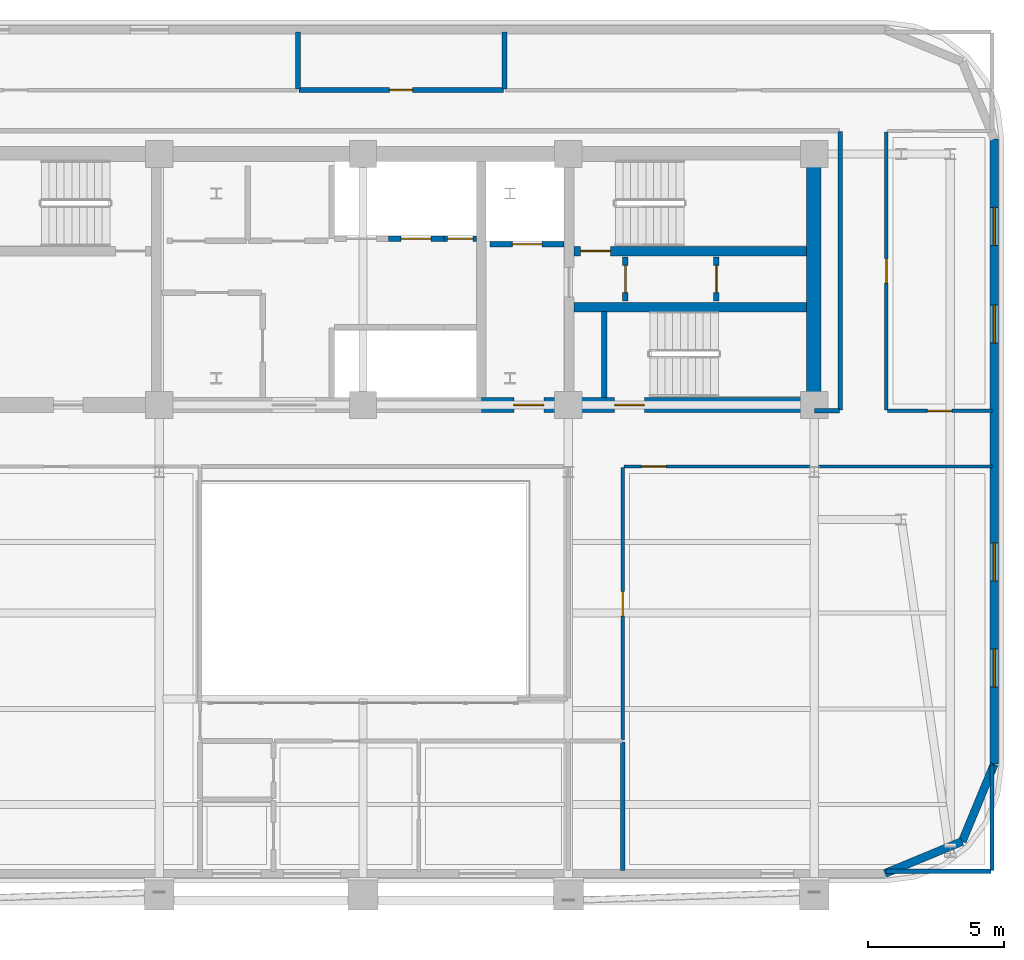
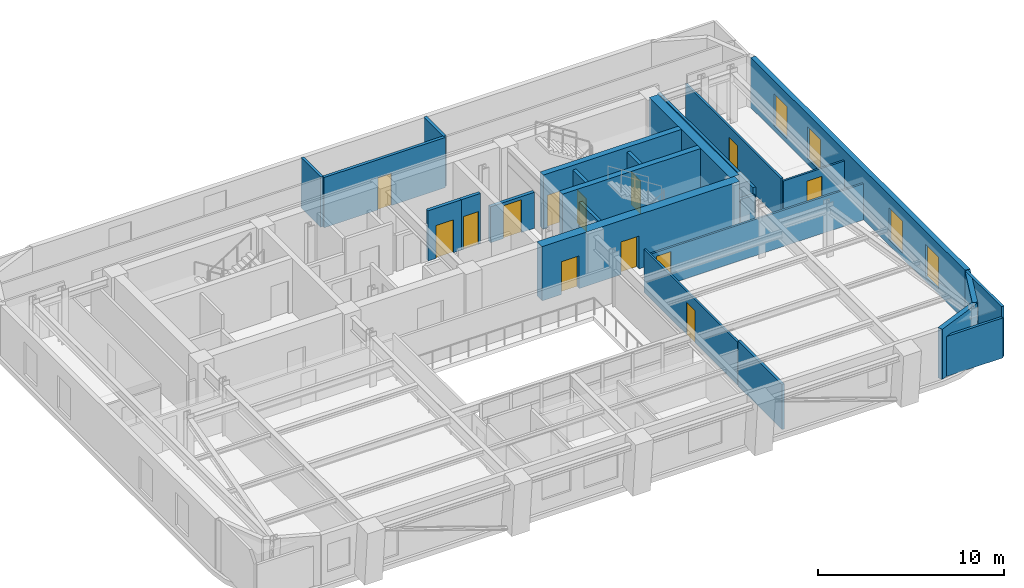
# One storey, part 8 of 13: 25 walls, 13 doors, 4 windows, 17 openings.
"""IFC4 building model written with IfcOpenShell, lengths in metres."""

from ifc_helpers import new_model, si_unit, direction, frame, frame_2d, origin, place, context, subcontext, project, spatial, rectangle, extrude, material, layer, layer_set, type_object, element, fill, save


model = new_model("IFC4")

# Units and contexts
model_context = context("Model", 3, precision=1e-05, world=origin(), true_north=direction((0.0, 1.0)))
body_context = subcontext(model_context, "Body", "Model", "MODEL_VIEW")
ifc_project = project(units=[si_unit("LENGTHUNIT", "METRE"), si_unit("AREAUNIT", "SQUARE_METRE"), si_unit("VOLUMEUNIT", "CUBIC_METRE"), si_unit("PLANEANGLEUNIT", "RADIAN"), si_unit("MASSUNIT", "GRAM", prefix="KILO")], contexts=[model_context])

# Site, building, storey
site_placement = place(None, origin())
site = spatial("IfcSite", under=ifc_project, at=site_placement, CompositionType="ELEMENT")
building_placement = place(site_placement, origin())
building = spatial("IfcBuilding", under=site, at=building_placement, Name="Zarnavel Station Tower", CompositionType="ELEMENT")
storey_placement = place(building_placement, frame((0.0, 0.0, 180.300048828125)))
storey = spatial("IfcBuildingStorey", under=building, at=storey_placement, Name="L49", CompositionType="ELEMENT", Elevation=180.300048828125)

# Wall, opening, door
ifc_material_1 = material(Name="Concrete C50/60", Category="concrete")
ifc_layer_1 = layer(ifc_material_1, 0.35009765625)
ifc_layer_set_1 = layer_set([ifc_layer_1], Name="CW_350")
wall_type_1 = type_object("IfcWallType", Name="CW_350", PredefinedType="SHEAR", material=ifc_layer_set_1)
wall_1_placement = place(storey_placement, frame((45.10498046875, 33.47998046875, 0.0), z_axis=(0.0, 0.0, 1.0), x_axis=(-1.0, 0.0, 0.0)))
wall_1 = element("IfcWall", 1, at=wall_1_placement, inside=storey, type_object=wall_type_1, Name="L49 Rear Core Shear Wall DIV-H2", PredefinedType="SHEAR", context=body_context, shape_type="SweptSolid", body=[
    extrude(rectangle(XDim=8.550048828125, YDim=0.35009765625, at=frame_2d((4.27490234375, 0.0))), origin(), (0.0, 0.0, 1.0), 3.550048828125),
])
opening_1_placement = place(wall_1_placement, frame((7.205078125, 0.0, 0.0)))
opening_1 = element("IfcOpeningElement", 2, at=opening_1_placement, cuts=wall_1, Name="Opening FD01", PredefinedType="OPENING", context=body_context, shape_type="SweptSolid", body=[
    extrude(rectangle(XDim=1.10009765625, YDim=2.14990234375, at=frame_2d((0.550048828125, 1.074951171875))), frame((0.0, 0.18505859375, 0.0), z_axis=(0.0, -1.0, 0.0), x_axis=(1.0, 0.0, 0.0)), (0.0, 0.0, 1.0), 0.3701171875),
])
ifc_material_2 = material(Name="Painted Galvanised Steel and Hardwood Leaf", Category="steel")
door_type_1 = type_object("IfcDoorType", Name="ID_STAIR_1100", OperationType="NOTDEFINED", PredefinedType="DOOR", material=ifc_material_2)
door_1_placement = place(opening_1_placement, origin())
door_1 = element("IfcDoor", 3, at=door_1_placement, inside=storey, type_object=door_type_1, Name="L49 Stair ST2 Lobby Fire Door", OperationType="SINGLE_SWING_RIGHT", OverallHeight=2.14990234375, OverallWidth=1.10009765625, PredefinedType="DOOR", context=body_context, shape_type="SweptSolid", body=[
    extrude(rectangle(XDim=1.10009765625, YDim=2.14990234375, at=frame_2d((0.550048828125, 1.074951171875))), frame((0.0, 0.02490234375, 0.0), z_axis=(0.0, -1.0, 0.0), x_axis=(1.0, 0.0, 0.0)), (0.0, 0.0, 1.0), 0.050048828125),
])
fill(opening_1, door_1)

# Wall
wall_2_placement = place(storey_placement, frame((36.554931640625, 31.419921875, 0.0), z_axis=(0.0, 0.0, 1.0), x_axis=(1.0, 0.0, 0.0)))
element("IfcWall", 4, at=wall_2_placement, inside=storey, type_object=wall_type_1, Name="L49 Rear Core Shear Wall DIV-H3", PredefinedType="SHEAR", context=body_context, shape_type="SweptSolid", body=[
    extrude(rectangle(XDim=8.550048828125, YDim=0.35009765625, at=frame_2d((4.27490234375, 0.0))), origin(), (0.0, 0.0, 1.0), 3.550048828125),
])

# Wall, openings, doors
ifc_material_3 = material(Name="Concrete C50/60", Category="concrete")
ifc_layer_2 = layer(ifc_material_3, 0.550048828125)
ifc_layer_set_2 = layer_set([ifc_layer_2], Name="CW_550")
wall_type_2 = type_object("IfcWallType", Name="CW_550", PredefinedType="SHEAR", material=ifc_layer_set_2)
wall_3_placement = place(storey_placement, frame((45.3798828125, 27.820068359375, 0.0), z_axis=(0.0, 0.0, 1.0), x_axis=(-1.0, 0.0, 0.0)))
wall_3 = element("IfcWall", 5, at=wall_3_placement, inside=storey, type_object=wall_type_2, Name="L49 Rear Core Shear Wall S-E", PredefinedType="SHEAR", context=body_context, shape_type="SweptSolid", body=[
    extrude(rectangle(XDim=12.22998046875, YDim=0.550048828125, at=frame_2d((6.114990234375, 0.0))), origin(), (0.0, 0.0, 1.0), 3.550048828125),
])
opening_2_placement = place(wall_3_placement, frame((9.929931640625, 0.0, 0.0)))
opening_2 = element("IfcOpeningElement", 6, at=opening_2_placement, cuts=wall_3, Name="Opening FD01", PredefinedType="OPENING", context=body_context, shape_type="SweptSolid", body=[
    extrude(rectangle(XDim=1.10009765625, YDim=2.14990234375, at=frame_2d((0.550048828125, 1.074951171875))), frame((0.0, 0.284912109375, 0.0), z_axis=(0.0, -1.0, 0.0), x_axis=(1.0, 0.0, 0.0)), (0.0, 0.0, 1.0), 0.570068359375),
])
opening_3_placement = place(wall_3_placement, frame((6.22998046875, 0.0, 0.0)))
opening_3 = element("IfcOpeningElement", 7, at=opening_3_placement, cuts=wall_3, Name="Opening FD01", PredefinedType="OPENING", context=body_context, shape_type="SweptSolid", body=[
    extrude(rectangle(XDim=1.10009765625, YDim=2.14990234375, at=frame_2d((0.550048828125, 1.074951171875))), frame((0.0, 0.284912109375, 0.0), z_axis=(0.0, -1.0, 0.0), x_axis=(1.0, 0.0, 0.0)), (0.0, 0.0, 1.0), 0.570068359375),
])
door_2_placement = place(opening_2_placement, origin())
door_2 = element("IfcDoor", 8, at=door_2_placement, inside=storey, type_object=door_type_1, Name="L49 East Firefighting Lobby Door", OperationType="SINGLE_SWING_LEFT", OverallHeight=2.14990234375, OverallWidth=1.10009765625, PredefinedType="DOOR", context=body_context, shape_type="SweptSolid", body=[
    extrude(rectangle(XDim=1.10009765625, YDim=2.14990234375, at=frame_2d((0.550048828125, 1.074951171875))), frame((0.0, 0.02490234375, 0.0), z_axis=(0.0, -1.0, 0.0), x_axis=(1.0, 0.0, 0.0)), (0.0, 0.0, 1.0), 0.050048828125),
])
fill(opening_2, door_2)
door_3_placement = place(opening_3_placement, origin())
door_3 = element("IfcDoor", 9, at=door_3_placement, inside=storey, type_object=door_type_1, Name="L49 Stair ST3 Corridor Fire Door", OperationType="SINGLE_SWING_RIGHT", OverallHeight=2.14990234375, OverallWidth=1.10009765625, PredefinedType="DOOR", context=body_context, shape_type="SweptSolid", body=[
    extrude(rectangle(XDim=1.10009765625, YDim=2.14990234375, at=frame_2d((0.550048828125, 1.074951171875))), frame((0.0, 0.02490234375, 0.0), z_axis=(0.0, -1.0, 0.0), x_axis=(1.0, 0.0, 0.0)), (0.0, 0.0, 1.0), 0.050048828125),
])
fill(opening_3, door_3)

# Walls
wall_4_placement = place(storey_placement, frame((45.3798828125, 28.094970703125, 0.0), z_axis=(0.0, 0.0, 1.0), x_axis=(0.0, 1.0, 0.0)))
element("IfcWall", 10, at=wall_4_placement, inside=storey, type_object=wall_type_2, Name="L49 Rear Core Shear Wall E", PredefinedType="SHEAR", context=body_context, shape_type="SweptSolid", body=[
    extrude(rectangle(XDim=8.679931640625, YDim=0.550048828125, at=frame_2d((4.33984375, 0.0))), origin(), (0.0, 0.0, 1.0), 3.550048828125),
])
ifc_material_4 = material(Name="Precast concrete C45/55 (Dark Basalt Finish)", Category="masonry")
ifc_layer_3 = layer(ifc_material_4, 0.300048828125)
ifc_layer_set_3 = layer_set([ifc_layer_3], Name="EW_BASALT_300")
wall_type_3 = type_object("IfcWallType", Name="EW_BASALT_300", PredefinedType="SOLIDWALL", material=ifc_layer_set_3)
wall_5_placement = place(storey_placement, frame((50.842529296875, 11.75732421875, 0.0), z_axis=(0.0, 0.0, 1.0), x_axis=(-0.92389884758, -0.382636798336, 0.0)))
element("IfcWall", 11, at=wall_5_placement, inside=storey, type_object=wall_type_3, Name="L49 Exterior Basalt Masonry Frame Wall 01", PredefinedType="SOLIDWALL", context=body_context, shape_type="SweptSolid", body=[
    extrude(rectangle(XDim=3.07666015625, YDim=0.300048828125, at=frame_2d((1.538330078125, 0.0))), origin(), (0.0, 0.0, 1.0), 3.2900390625),
])
wall_6_placement = place(storey_placement, frame((52.02001953125, 14.60009765625, 0.0), z_axis=(0.0, 0.0, 1.0), x_axis=(-0.382676475685, -0.923882414032, 0.0)))
element("IfcWall", 12, at=wall_6_placement, inside=storey, type_object=wall_type_3, Name="L49 Exterior Basalt Masonry Frame Wall 02", PredefinedType="SOLIDWALL", context=body_context, shape_type="SweptSolid", body=[
    extrude(rectangle(XDim=3.076904296875, YDim=0.300048828125, at=frame_2d((1.53857421875, 0.0))), origin(), (0.0, 0.0, 1.0), 3.2900390625),
])

# Wall, openings, windows
wall_7_placement = place(storey_placement, frame((52.02001953125, 37.60009765625, 0.0), z_axis=(0.0, 0.0, 1.0), x_axis=(0.0, -1.0, 0.0)))
wall_7 = element("IfcWall", 13, at=wall_7_placement, inside=storey, type_object=wall_type_3, Name="L49 Exterior Basalt Masonry Frame Wall 03", PredefinedType="SOLIDWALL", context=body_context, shape_type="SweptSolid", body=[
    extrude(rectangle(XDim=23.0, YDim=0.300048828125, at=frame_2d((11.5, 0.0))), origin(), (0.0, 0.0, 1.0), 3.2900390625),
])
opening_4_placement = place(wall_7_placement, frame((2.51318359375, 0.0, 0.340087890625)))
opening_4 = element("IfcOpeningElement", 14, at=opening_4_placement, cuts=wall_7, Name="Opening WN04", PredefinedType="OPENING", context=body_context, shape_type="SweptSolid", body=[
    extrude(rectangle(XDim=1.39990234375, YDim=2.10009765625, at=frame_2d((0.699951171875, 1.050048828125))), frame((0.0, 0.159912109375, 0.0), z_axis=(0.0, -1.0, 0.0), x_axis=(1.0, 0.0, 0.0)), (0.0, 0.0, 1.0), 0.320068359375),
])
opening_5_placement = place(wall_7_placement, frame((6.106689453125, 0.0, 0.340087890625)))
opening_5 = element("IfcOpeningElement", 15, at=opening_5_placement, cuts=wall_7, Name="Opening WN04", PredefinedType="OPENING", context=body_context, shape_type="SweptSolid", body=[
    extrude(rectangle(XDim=1.39990234375, YDim=2.10009765625, at=frame_2d((0.699951171875, 1.050048828125))), frame((0.0, 0.159912109375, 0.0), z_axis=(0.0, -1.0, 0.0), x_axis=(1.0, 0.0, 0.0)), (0.0, 0.0, 1.0), 0.320068359375),
])
opening_6_placement = place(wall_7_placement, frame((14.860107421875, 0.0, 0.340087890625)))
opening_6 = element("IfcOpeningElement", 16, at=opening_6_placement, cuts=wall_7, Name="Opening WN04", PredefinedType="OPENING", context=body_context, shape_type="SweptSolid", body=[
    extrude(rectangle(XDim=1.39990234375, YDim=2.10009765625, at=frame_2d((0.699951171875, 1.050048828125))), frame((0.0, 0.159912109375, 0.0), z_axis=(0.0, -1.0, 0.0), x_axis=(1.0, 0.0, 0.0)), (0.0, 0.0, 1.0), 0.320068359375),
])
opening_7_placement = place(wall_7_placement, frame((18.77001953125, 0.0, 0.340087890625)))
opening_7 = element("IfcOpeningElement", 17, at=opening_7_placement, cuts=wall_7, Name="Opening WN04", PredefinedType="OPENING", context=body_context, shape_type="SweptSolid", body=[
    extrude(rectangle(XDim=1.39990234375, YDim=2.10009765625, at=frame_2d((0.699951171875, 1.050048828125))), frame((0.0, 0.159912109375, 0.0), z_axis=(0.0, -1.0, 0.0), x_axis=(1.0, 0.0, 0.0)), (0.0, 0.0, 1.0), 0.320068359375),
])
ifc_material_5 = material(Name="Thermally Broken Black Aluminium and Low-E Dark Glass", Category="aluminium")
window_type = type_object("IfcWindowType", Name="WN_1400x2100", PartitioningType="DOUBLE_PANEL_VERTICAL", PredefinedType="WINDOW", material=ifc_material_5)
window_1_placement = place(opening_4_placement, origin())
window_1 = element("IfcWindow", 18, at=window_1_placement, inside=storey, type_object=window_type, Name="L49 Recessed Facade Window 01", OverallHeight=2.10009765625, OverallWidth=1.39990234375, PartitioningType="SINGLE_PANEL", PredefinedType="WINDOW", context=body_context, shape_type="SweptSolid", body=[
    extrude(rectangle(XDim=1.39990234375, YDim=2.10009765625, at=frame_2d((0.699951171875, 1.050048828125))), frame((0.0, 0.030029296875, 0.0), z_axis=(0.0, -1.0, 0.0), x_axis=(1.0, 0.0, 0.0)), (0.0, 0.0, 1.0), 0.06005859375),
])
fill(opening_4, window_1)
window_2_placement = place(opening_5_placement, origin())
window_2 = element("IfcWindow", 19, at=window_2_placement, inside=storey, type_object=window_type, Name="L49 Recessed Facade Window 02", OverallHeight=2.10009765625, OverallWidth=1.39990234375, PartitioningType="SINGLE_PANEL", PredefinedType="WINDOW", context=body_context, shape_type="SweptSolid", body=[
    extrude(rectangle(XDim=1.39990234375, YDim=2.10009765625, at=frame_2d((0.699951171875, 1.050048828125))), frame((0.0, 0.030029296875, 0.0), z_axis=(0.0, -1.0, 0.0), x_axis=(1.0, 0.0, 0.0)), (0.0, 0.0, 1.0), 0.06005859375),
])
fill(opening_5, window_2)
window_3_placement = place(opening_6_placement, origin())
window_3 = element("IfcWindow", 20, at=window_3_placement, inside=storey, type_object=window_type, Name="L49 Recessed Facade Window 03", OverallHeight=2.10009765625, OverallWidth=1.39990234375, PartitioningType="SINGLE_PANEL", PredefinedType="WINDOW", context=body_context, shape_type="SweptSolid", body=[
    extrude(rectangle(XDim=1.39990234375, YDim=2.10009765625, at=frame_2d((0.699951171875, 1.050048828125))), frame((0.0, 0.030029296875, 0.0), z_axis=(0.0, -1.0, 0.0), x_axis=(1.0, 0.0, 0.0)), (0.0, 0.0, 1.0), 0.06005859375),
])
fill(opening_6, window_3)
window_4_placement = place(opening_7_placement, origin())
window_4 = element("IfcWindow", 21, at=window_4_placement, inside=storey, type_object=window_type, Name="L49 Recessed Facade Window 04", OverallHeight=2.10009765625, OverallWidth=1.39990234375, PartitioningType="SINGLE_PANEL", PredefinedType="WINDOW", context=body_context, shape_type="SweptSolid", body=[
    extrude(rectangle(XDim=1.39990234375, YDim=2.10009765625, at=frame_2d((0.699951171875, 1.050048828125))), frame((0.0, 0.030029296875, 0.0), z_axis=(0.0, -1.0, 0.0), x_axis=(1.0, 0.0, 0.0)), (0.0, 0.0, 1.0), 0.06005859375),
])
fill(opening_7, window_4)

# Walls
ifc_material_6 = material(Name="Gypsum Twin-Stud Acoustic Fire Partition", Category="concrete")
ifc_layer_4 = layer(ifc_material_6, 0.159912109375)
ifc_layer_set_4 = layer_set([ifc_layer_4], Name="PT_DEMISE_160")
wall_type_4 = type_object("IfcWallType", Name="PT_DEMISE_160", PredefinedType="PARTITIONING", material=ifc_layer_set_4)
wall_8_placement = place(storey_placement, frame((45.409912109375, 27.60009765625, 0.0), z_axis=(0.0, 0.0, 1.0), x_axis=(1.0, 0.0, 0.0)))
element("IfcWall", 22, at=wall_8_placement, inside=storey, type_object=wall_type_4, Name="L49 Enclosure Wall COR-S", PredefinedType="PARTITIONING", context=body_context, shape_type="SweptSolid", body=[
    extrude(rectangle(XDim=0.91015625, YDim=0.159912109375, at=frame_2d((0.455078125, 0.0))), origin(), (0.0, 0.0, 1.0), 2.35986328125),
])
wall_9_placement = place(storey_placement, frame((46.35009765625, 27.6298828125, 0.0), z_axis=(0.0, 0.0, 1.0), x_axis=(0.0, 1.0, 0.0)))
element("IfcWall", 23, at=wall_9_placement, inside=storey, type_object=wall_type_4, Name="L49 Enclosure Wall COR-E", PredefinedType="PARTITIONING", context=body_context, shape_type="SweptSolid", body=[
    extrude(rectangle(XDim=10.240234375, YDim=0.159912109375, at=frame_2d((5.1201171875, 0.0))), origin(), (0.0, 0.0, 1.0), 2.77001953125),
])
wall_10_placement = place(storey_placement, frame((48.030029296875, 10.659912109375, 0.0), z_axis=(0.0, 0.0, 1.0), x_axis=(1.0, 0.0, 0.0)))
element("IfcWall", 24, at=wall_10_placement, inside=storey, type_object=wall_type_4, Name="L49 Enclosure Wall L49GYM", PredefinedType="PARTITIONING", context=body_context, shape_type="SweptSolid", body=[
    extrude(rectangle(XDim=3.8798828125, YDim=0.159912109375, at=frame_2d((1.93994140625, 0.0))), origin(), (0.0, 0.0, 1.0), 2.619873046875),
])
wall_11_placement = place(storey_placement, frame((38.35009765625, 10.68994140625, 0.0), z_axis=(0.0, 0.0, 1.0), x_axis=(0.0, 1.0, 0.0)))
element("IfcWall", 25, at=wall_11_placement, inside=storey, type_object=wall_type_4, Name="L49 Enclosure Wall L49GYM", PredefinedType="PARTITIONING", context=body_context, shape_type="SweptSolid", body=[
    extrude(rectangle(XDim=4.72998046875, YDim=0.159912109375, at=frame_2d((2.364990234375, 0.0))), origin(), (0.0, 0.0, 1.0), 2.9599609375),
])
wall_12_placement = place(storey_placement, frame((51.93994140625, 10.68994140625, 0.0), z_axis=(0.0, 0.0, 1.0), x_axis=(0.0, 1.0, 0.0)))
element("IfcWall", 26, at=wall_12_placement, inside=storey, type_object=wall_type_4, Name="L49 Enclosure Wall L49GYM", PredefinedType="PARTITIONING", context=body_context, shape_type="SweptSolid", body=[
    extrude(rectangle(XDim=3.880126953125, YDim=0.159912109375, at=frame_2d((1.93994140625, 0.0))), origin(), (0.0, 0.0, 1.0), 3.2900390625),
])

# Wall, opening, door
ifc_material_7 = material(Name="Gypsum Metal-Stud Interior Partition", Category="concrete")
ifc_layer_5 = layer(ifc_material_7, 0.1201171875)
ifc_layer_set_5 = layer_set([ifc_layer_5], Name="PT_ROOM_120")
wall_type_5 = type_object("IfcWallType", Name="PT_ROOM_120", PredefinedType="PARTITIONING", material=ifc_layer_set_5)
wall_13_placement = place(storey_placement, frame((48.090087890625, 27.60009765625, 0.0), z_axis=(0.0, 0.0, 1.0), x_axis=(1.0, 0.0, 0.0)))
wall_13 = element("IfcWall", 27, at=wall_13_placement, inside=storey, type_object=wall_type_5, Name="L49 Partition COR-S-FNE", PredefinedType="PARTITIONING", context=body_context, shape_type="SweptSolid", body=[
    extrude(rectangle(XDim=3.849853515625, YDim=0.1201171875, at=frame_2d((1.9248046875, 0.0))), origin(), (0.0, 0.0, 1.0), 2.619873046875),
])
opening_8_placement = place(wall_13_placement, frame((1.47509765625, 0.0, 0.0)))
opening_8 = element("IfcOpeningElement", 28, at=opening_8_placement, cuts=wall_13, Name="Opening ID01", PredefinedType="OPENING", context=body_context, shape_type="SweptSolid", body=[
    extrude(rectangle(XDim=0.89990234375, YDim=2.10009765625, at=frame_2d((0.449951171875, 1.050048828125))), frame((0.0, 0.070068359375, 0.0), z_axis=(0.0, -1.0, 0.0), x_axis=(1.0, 0.0, 0.0)), (0.0, 0.0, 1.0), 0.14013671875),
])
ifc_material_8 = material(Name="Painted Galvanised Steel and Hardwood Leaf", Category="steel")
door_type_2 = type_object("IfcDoorType", Name="ID_ROOM_900", OperationType="NOTDEFINED", PredefinedType="DOOR", material=ifc_material_8)
door_4_placement = place(opening_8_placement, origin())
door_4 = element("IfcDoor", 29, at=door_4_placement, inside=storey, type_object=door_type_2, Name="L49 Door COR-S-FNE", OperationType="SINGLE_SWING_LEFT", OverallHeight=2.10009765625, OverallWidth=0.89990234375, PredefinedType="DOOR", context=body_context, shape_type="SweptSolid", body=[
    extrude(rectangle(XDim=0.89990234375, YDim=2.10009765625, at=frame_2d((0.449951171875, 1.050048828125))), frame((0.0, 0.02490234375, 0.0), z_axis=(0.0, -1.0, 0.0), x_axis=(1.0, 0.0, 0.0)), (0.0, 0.0, 1.0), 0.050048828125),
])
fill(opening_8, door_4)

wall_14_placement = place(storey_placement, frame((38.389892578125, 25.550048828125, 0.0), z_axis=(0.0, 0.0, 1.0), x_axis=(1.0, 0.0, 0.0)))
wall_14 = element("IfcWall", 30, at=wall_14_placement, inside=storey, type_object=wall_type_5, Name="L49 Partition COR-S-L49GYM", PredefinedType="PARTITIONING", context=body_context, shape_type="SweptSolid", body=[
    extrude(rectangle(XDim=13.550048828125, YDim=0.1201171875, at=frame_2d((6.77490234375, 0.0))), origin(), (0.0, 0.0, 1.0), 2.369873046875),
])
opening_9_placement = place(wall_14_placement, frame((0.655517578125, 0.0, 0.0)))
opening_9 = element("IfcOpeningElement", 31, at=opening_9_placement, cuts=wall_14, Name="Opening ID01", PredefinedType="OPENING", context=body_context, shape_type="SweptSolid", body=[
    extrude(rectangle(XDim=0.89990234375, YDim=2.10009765625, at=frame_2d((0.449951171875, 1.050048828125))), frame((0.0, 0.070068359375, 0.0), z_axis=(0.0, -1.0, 0.0), x_axis=(1.0, 0.0, 0.0)), (0.0, 0.0, 1.0), 0.14013671875),
])
door_5_placement = place(opening_9_placement, origin())
door_5 = element("IfcDoor", 32, at=door_5_placement, inside=storey, type_object=door_type_2, Name="L49 Door COR-S-L49GYM", OperationType="SINGLE_SWING_RIGHT", OverallHeight=2.10009765625, OverallWidth=0.89990234375, PredefinedType="DOOR", context=body_context, shape_type="SweptSolid", body=[
    extrude(rectangle(XDim=0.89990234375, YDim=2.10009765625, at=frame_2d((0.449951171875, 1.050048828125))), frame((0.0, 0.02490234375, 0.0), z_axis=(0.0, -1.0, 0.0), x_axis=(1.0, 0.0, 0.0)), (0.0, 0.0, 1.0), 0.050048828125),
])
fill(opening_9, door_5)

wall_15_placement = place(storey_placement, frame((48.050048828125, 27.639892578125, 0.0), z_axis=(0.0, 0.0, 1.0), x_axis=(0.0, 1.0, 0.0)))
wall_15 = element("IfcWall", 33, at=wall_15_placement, inside=storey, type_object=wall_type_5, Name="L49 Partition COR-E-FNE", PredefinedType="PARTITIONING", context=body_context, shape_type="SweptSolid", body=[
    extrude(rectangle(XDim=10.22021484375, YDim=0.1201171875, at=frame_2d((5.110107421875, 0.0))), origin(), (0.0, 0.0, 1.0), 2.77001953125),
])
opening_10_placement = place(wall_15_placement, frame((4.659912109375, 0.0, 0.0)))
opening_10 = element("IfcOpeningElement", 34, at=opening_10_placement, cuts=wall_15, Name="Opening ID01", PredefinedType="OPENING", context=body_context, shape_type="SweptSolid", body=[
    extrude(rectangle(XDim=0.89990234375, YDim=2.10009765625, at=frame_2d((0.449951171875, 1.050048828125))), frame((0.0, 0.070068359375, 0.0), z_axis=(0.0, -1.0, 0.0), x_axis=(1.0, 0.0, 0.0)), (0.0, 0.0, 1.0), 0.14013671875),
])
door_6_placement = place(opening_10_placement, origin())
door_6 = element("IfcDoor", 35, at=door_6_placement, inside=storey, type_object=door_type_2, Name="L49 Door COR-E-FNE", OperationType="SINGLE_SWING_RIGHT", OverallHeight=2.10009765625, OverallWidth=0.89990234375, PredefinedType="DOOR", context=body_context, shape_type="SweptSolid", body=[
    extrude(rectangle(XDim=0.89990234375, YDim=2.10009765625, at=frame_2d((0.449951171875, 1.050048828125))), frame((0.0, 0.02490234375, 0.0), z_axis=(0.0, -1.0, 0.0), x_axis=(1.0, 0.0, 0.0)), (0.0, 0.0, 1.0), 0.050048828125),
])
fill(opening_10, door_6)

wall_16_placement = place(storey_placement, frame((38.35009765625, 15.489990234375, 0.0), z_axis=(0.0, 0.0, 1.0), x_axis=(0.0, 1.0, 0.0)))
wall_16 = element("IfcWall", 36, at=wall_16_placement, inside=storey, type_object=wall_type_5, Name="L49 Partition COR-AE-L49GYM", PredefinedType="PARTITIONING", context=body_context, shape_type="SweptSolid", body=[
    extrude(rectangle(XDim=10.02001953125, YDim=0.1201171875, at=frame_2d((5.010009765625, 0.0))), origin(), (0.0, 0.0, 1.0), 2.820068359375),
])
opening_11_placement = place(wall_16_placement, frame((4.56005859375, 0.0, 0.0)))
opening_11 = element("IfcOpeningElement", 37, at=opening_11_placement, cuts=wall_16, Name="Opening ID01", PredefinedType="OPENING", context=body_context, shape_type="SweptSolid", body=[
    extrude(rectangle(XDim=0.89990234375, YDim=2.10009765625, at=frame_2d((0.449951171875, 1.050048828125))), frame((0.0, 0.070068359375, 0.0), z_axis=(0.0, -1.0, 0.0), x_axis=(1.0, 0.0, 0.0)), (0.0, 0.0, 1.0), 0.14013671875),
])
door_7_placement = place(opening_11_placement, origin())
door_7 = element("IfcDoor", 38, at=door_7_placement, inside=storey, type_object=door_type_2, Name="L49 Door COR-AE-L49GYM", OperationType="SINGLE_SWING_RIGHT", OverallHeight=2.10009765625, OverallWidth=0.89990234375, PredefinedType="DOOR", context=body_context, shape_type="SweptSolid", body=[
    extrude(rectangle(XDim=0.89990234375, YDim=2.10009765625, at=frame_2d((0.449951171875, 1.050048828125))), frame((0.0, 0.02490234375, 0.0), z_axis=(0.0, -1.0, 0.0), x_axis=(1.0, 0.0, 0.0)), (0.0, 0.0, 1.0), 0.050048828125),
])
fill(opening_11, door_7)

ifc_material_9 = material(Name="Precast concrete C45/55 (Fire Shaft Blockwork)", Category="masonry")
ifc_layer_6 = layer(ifc_material_9, 0.199951171875)
ifc_layer_set_6 = layer_set([ifc_layer_6], Name="PT_SHAFT_200")
wall_type_6 = type_object("IfcWallType", Name="PT_SHAFT_200", PredefinedType="PARTITIONING", material=ifc_layer_set_6)
wall_17_placement = place(storey_placement, frame((33.47509765625, 33.72998046875, 0.0), z_axis=(0.0, 0.0, 1.0), x_axis=(1.0, 0.0, 0.0)))
wall_17 = element("IfcWall", 39, at=wall_17_placement, inside=storey, type_object=wall_type_6, Name="L49 Lift FFL-02 Shaft Front Wall", PredefinedType="PARTITIONING", context=body_context, shape_type="SweptSolid", body=[
    extrude(rectangle(XDim=2.724853515625, YDim=0.199951171875, at=frame_2d((1.3623046875, 0.0))), origin(), (0.0, 0.0, 1.0), 2.35986328125),
])
opening_12_placement = place(wall_17_placement, frame((0.8125, 0.0, 0.0)))
opening_12 = element("IfcOpeningElement", 40, at=opening_12_placement, cuts=wall_17, Name="Opening LD01", PredefinedType="OPENING", context=body_context, shape_type="SweptSolid", body=[
    extrude(rectangle(XDim=1.10009765625, YDim=2.14990234375, at=frame_2d((0.550048828125, 1.074951171875))), frame((0.0, 0.10986328125, 0.0), z_axis=(0.0, -1.0, 0.0), x_axis=(1.0, 0.0, 0.0)), (0.0, 0.0, 1.0), 0.219970703125),
])
ifc_material_10 = material(Name="Painted Galvanised Steel and Hardwood Leaf", Category="steel")
door_type_3 = type_object("IfcDoorType", Name="LD_FF_1100", OperationType="DOUBLE_DOOR_SLIDING", PredefinedType="DOOR", material=ifc_material_10)
door_8_placement = place(opening_12_placement, origin())
door_8 = element("IfcDoor", 41, at=door_8_placement, inside=storey, type_object=door_type_3, Name="L49 Lift FFL-02 Sliding Landing Door", OperationType="DOUBLE_DOOR_SLIDING", OverallHeight=2.14990234375, OverallWidth=1.10009765625, PredefinedType="DOOR", context=body_context, shape_type="SweptSolid", body=[
    extrude(rectangle(XDim=1.10009765625, YDim=2.14990234375, at=frame_2d((0.550048828125, 1.074951171875))), frame((0.0, 0.02490234375, 0.0), z_axis=(0.0, -1.0, 0.0), x_axis=(1.0, 0.0, 0.0)), (0.0, 0.0, 1.0), 0.050048828125),
])
fill(opening_12, door_8)

wall_18_placement = place(storey_placement, frame((29.72509765625, 33.929931640625, 0.0), z_axis=(0.0, 0.0, 1.0), x_axis=(1.0, 0.0, 0.0)))
wall_18 = element("IfcWall", 42, at=wall_18_placement, inside=storey, type_object=wall_type_6, Name="L49 Lift PL-M2 Shaft Front Wall", PredefinedType="PARTITIONING", context=body_context, shape_type="SweptSolid", body=[
    extrude(rectangle(XDim=2.0498046875, YDim=0.199951171875, at=frame_2d((1.02490234375, 0.0))), origin(), (0.0, 0.0, 1.0), 3.2900390625),
])
opening_13_placement = place(wall_18_placement, frame((0.47509765625, 0.0, 0.0)))
opening_13 = element("IfcOpeningElement", 43, at=opening_13_placement, cuts=wall_18, Name="Opening LD02", PredefinedType="OPENING", context=body_context, shape_type="SweptSolid", body=[
    extrude(rectangle(XDim=1.10009765625, YDim=2.14990234375, at=frame_2d((0.550048828125, 1.074951171875))), frame((0.0, 0.10986328125, 0.0), z_axis=(0.0, -1.0, 0.0), x_axis=(1.0, 0.0, 0.0)), (0.0, 0.0, 1.0), 0.219970703125),
])
ifc_material_11 = material(Name="Painted Galvanised Steel and Hardwood Leaf", Category="steel")
door_type_4 = type_object("IfcDoorType", Name="LD_PAX_1100", OperationType="DOUBLE_DOOR_SLIDING", PredefinedType="DOOR", material=ifc_material_11)
door_9_placement = place(opening_13_placement, origin())
door_9 = element("IfcDoor", 44, at=door_9_placement, inside=storey, type_object=door_type_4, Name="L49 Lift PL-M2 Sliding Landing Door", OperationType="DOUBLE_DOOR_SLIDING", OverallHeight=2.14990234375, OverallWidth=1.10009765625, PredefinedType="DOOR", context=body_context, shape_type="SweptSolid", body=[
    extrude(rectangle(XDim=1.10009765625, YDim=2.14990234375, at=frame_2d((0.550048828125, 1.074951171875))), frame((0.0, 0.02490234375, 0.0), z_axis=(0.0, -1.0, 0.0), x_axis=(1.0, 0.0, 0.0)), (0.0, 0.0, 1.0), 0.050048828125),
])
fill(opening_13, door_9)

wall_19_placement = place(storey_placement, frame((31.77490234375, 33.929931640625, 0.0), z_axis=(0.0, 0.0, 1.0), x_axis=(1.0, 0.0, 0.0)))
wall_19 = element("IfcWall", 45, at=wall_19_placement, inside=storey, type_object=wall_type_6, Name="L49 Lift PL-M3 Shaft Front Wall", PredefinedType="PARTITIONING", context=body_context, shape_type="SweptSolid", body=[
    extrude(rectangle(XDim=1.2001953125, YDim=0.199951171875, at=frame_2d((0.60009765625, 0.0))), origin(), (0.0, 0.0, 1.0), 3.2900390625),
])
opening_14_placement = place(wall_19_placement, frame((0.125, 0.0, 0.0)))
opening_14 = element("IfcOpeningElement", 46, at=opening_14_placement, cuts=wall_19, Name="Opening LD03", PredefinedType="OPENING", context=body_context, shape_type="SweptSolid", body=[
    extrude(rectangle(XDim=0.949951171875, YDim=2.14990234375, at=frame_2d((0.47509765625, 1.074951171875))), frame((0.0, 0.10986328125, 0.0), z_axis=(0.0, -1.0, 0.0), x_axis=(1.0, 0.0, 0.0)), (0.0, 0.0, 1.0), 0.219970703125),
])
ifc_material_12 = material(Name="Painted Galvanised Steel and Hardwood Leaf", Category="steel")
door_type_5 = type_object("IfcDoorType", Name="LD_PAX_0950", OperationType="DOUBLE_DOOR_SLIDING", PredefinedType="DOOR", material=ifc_material_12)
door_10_placement = place(opening_14_placement, origin())
door_10 = element("IfcDoor", 47, at=door_10_placement, inside=storey, type_object=door_type_5, Name="L49 Lift PL-M3 Sliding Landing Door", OperationType="DOUBLE_DOOR_SLIDING", OverallHeight=2.14990234375, OverallWidth=0.949951171875, PredefinedType="DOOR", context=body_context, shape_type="SweptSolid", body=[
    extrude(rectangle(XDim=0.949951171875, YDim=2.14990234375, at=frame_2d((0.47509765625, 1.074951171875))), frame((0.0, 0.02490234375, 0.0), z_axis=(0.0, -1.0, 0.0), x_axis=(1.0, 0.0, 0.0)), (0.0, 0.0, 1.0), 0.050048828125),
])
fill(opening_14, door_10)

# Wall
wall_20_placement = place(storey_placement, frame((37.679931640625, 28.094970703125, 0.0), z_axis=(0.0, 0.0, 1.0), x_axis=(0.0, 1.0, 0.0)))
element("IfcWall", 48, at=wall_20_placement, inside=storey, type_object=wall_type_6, Name="L49 Stair ST3 West Shaft Wall", PredefinedType="PARTITIONING", context=body_context, shape_type="SweptSolid", body=[
    extrude(rectangle(XDim=3.155029296875, YDim=0.199951171875, at=frame_2d((1.57763671875, 0.0))), origin(), (0.0, 0.0, 1.0), 2.669921875),
])

# Wall, opening, door
wall_21_placement = place(storey_placement, frame((38.449951171875, 31.639892578125, 0.0), z_axis=(0.0, 0.0, 1.0), x_axis=(0.0, 1.0, 0.0)))
wall_21 = element("IfcWall", 49, at=wall_21_placement, inside=storey, type_object=wall_type_6, Name="L49 Partition ESTV-CEA", PredefinedType="PARTITIONING", context=body_context, shape_type="SweptSolid", body=[
    extrude(rectangle(XDim=1.6201171875, YDim=0.199951171875, at=frame_2d((0.81005859375, 0.0))), origin(), (0.0, 0.0, 1.0), 3.2900390625),
])
opening_15_placement = place(wall_21_placement, frame((0.31005859375, 0.0, 0.0)))
opening_15 = element("IfcOpeningElement", 50, at=opening_15_placement, cuts=wall_21, Name="Opening FD02", PredefinedType="OPENING", context=body_context, shape_type="SweptSolid", body=[
    extrude(rectangle(XDim=1.0, YDim=2.14990234375, at=frame_2d((0.5, 1.074951171875))), frame((0.0, 0.10986328125, 0.0), z_axis=(0.0, -1.0, 0.0), x_axis=(1.0, 0.0, 0.0)), (0.0, 0.0, 1.0), 0.219970703125),
])
ifc_material_13 = material(Name="Painted Galvanised Steel and Hardwood Leaf", Category="steel")
door_type_6 = type_object("IfcDoorType", Name="ID_ENTRY_1000", OperationType="NOTDEFINED", PredefinedType="DOOR", material=ifc_material_13)
door_11_placement = place(opening_15_placement, origin())
door_11 = element("IfcDoor", 51, at=door_11_placement, inside=storey, type_object=door_type_6, Name="L49 Door ESTV-CEA", OperationType="SINGLE_SWING_RIGHT", OverallHeight=2.14990234375, OverallWidth=1.0, PredefinedType="DOOR", context=body_context, shape_type="SweptSolid", body=[
    extrude(rectangle(XDim=1.0, YDim=2.14990234375, at=frame_2d((0.5, 1.074951171875))), frame((0.0, 0.02490234375, 0.0), z_axis=(0.0, -1.0, 0.0), x_axis=(1.0, 0.0, 0.0)), (0.0, 0.0, 1.0), 0.050048828125),
])
fill(opening_15, door_11)

wall_22_placement = place(storey_placement, frame((41.800048828125, 31.639892578125, 0.0), z_axis=(0.0, 0.0, 1.0), x_axis=(0.0, 1.0, 0.0)))
wall_22 = element("IfcWall", 52, at=wall_22_placement, inside=storey, type_object=wall_type_6, Name="L49 Partition CEA-CEB", PredefinedType="PARTITIONING", context=body_context, shape_type="SweptSolid", body=[
    extrude(rectangle(XDim=1.6201171875, YDim=0.199951171875, at=frame_2d((0.81005859375, 0.0))), origin(), (0.0, 0.0, 1.0), 3.2900390625),
])
opening_16_placement = place(wall_22_placement, frame((0.31005859375, 0.0, 0.0)))
opening_16 = element("IfcOpeningElement", 53, at=opening_16_placement, cuts=wall_22, Name="Opening FD02", PredefinedType="OPENING", context=body_context, shape_type="SweptSolid", body=[
    extrude(rectangle(XDim=1.0, YDim=2.14990234375, at=frame_2d((0.5, 1.074951171875))), frame((0.0, 0.10986328125, 0.0), z_axis=(0.0, -1.0, 0.0), x_axis=(1.0, 0.0, 0.0)), (0.0, 0.0, 1.0), 0.219970703125),
])
door_12_placement = place(opening_16_placement, origin())
door_12 = element("IfcDoor", 54, at=door_12_placement, inside=storey, type_object=door_type_6, Name="L49 Door CEA-CEB", OperationType="SINGLE_SWING_LEFT", OverallHeight=2.14990234375, OverallWidth=1.0, PredefinedType="DOOR", context=body_context, shape_type="SweptSolid", body=[
    extrude(rectangle(XDim=1.0, YDim=2.14990234375, at=frame_2d((0.5, 1.074951171875))), frame((0.0, 0.02490234375, 0.0), z_axis=(0.0, -1.0, 0.0), x_axis=(1.0, 0.0, 0.0)), (0.0, 0.0, 1.0), 0.050048828125),
])
fill(opening_16, door_12)

ifc_material_14 = material(Name="Moisture-Resistant Plumbing Chase Wall", Category="concrete")
ifc_layer_7 = layer(ifc_material_14, 0.179931640625)
ifc_layer_set_7 = layer_set([ifc_layer_7], Name="PW_PLUMB_180")
wall_type_7 = type_object("IfcWallType", Name="PW_PLUMB_180", PredefinedType="PLUMBINGWALL", material=ifc_layer_set_7)
wall_23_placement = place(storey_placement, frame((26.43994140625, 39.39990234375, 0.0), z_axis=(0.0, 0.0, 1.0), x_axis=(1.0, 0.0, 0.0)))
wall_23 = element("IfcWall", 55, at=wall_23_placement, inside=storey, type_object=wall_type_7, Name="L49 Partition COR-N-NWC", PredefinedType="PLUMBINGWALL", context=body_context, shape_type="SweptSolid", body=[
    extrude(rectangle(XDim=7.52001953125, YDim=0.179931640625, at=frame_2d((3.760009765625, 0.0))), origin(), (0.0, 0.0, 1.0), 3.2900390625),
])
opening_17_placement = place(wall_23_placement, frame((3.3349609375, 0.0, 0.0)))
opening_17 = element("IfcOpeningElement", 56, at=opening_17_placement, cuts=wall_23, Name="Opening ID02", PredefinedType="OPENING", context=body_context, shape_type="SweptSolid", body=[
    extrude(rectangle(XDim=0.85009765625, YDim=2.10009765625, at=frame_2d((0.425048828125, 1.050048828125))), frame((0.0, 0.099853515625, 0.0), z_axis=(0.0, -1.0, 0.0), x_axis=(1.0, 0.0, 0.0)), (0.0, 0.0, 1.0), 0.199951171875),
])
ifc_material_15 = material(Name="Painted Galvanised Steel and Hardwood Leaf", Category="steel")
door_type_7 = type_object("IfcDoorType", Name="ID_BATH_850", OperationType="NOTDEFINED", PredefinedType="DOOR", material=ifc_material_15)
door_13_placement = place(opening_17_placement, origin())
door_13 = element("IfcDoor", 57, at=door_13_placement, inside=storey, type_object=door_type_7, Name="L49 Door COR-N-NWC", OperationType="SINGLE_SWING_RIGHT", OverallHeight=2.10009765625, OverallWidth=0.85009765625, PredefinedType="DOOR", context=body_context, shape_type="SweptSolid", body=[
    extrude(rectangle(XDim=0.85009765625, YDim=2.10009765625, at=frame_2d((0.425048828125, 1.050048828125))), frame((0.0, 0.02490234375, 0.0), z_axis=(0.0, -1.0, 0.0), x_axis=(1.0, 0.0, 0.0)), (0.0, 0.0, 1.0), 0.050048828125),
])
fill(opening_17, door_13)

# Walls
for number, where, z_axis, x_axis, name in (
    (58, (26.39990234375, 39.43994140625, 0.0), (0.0, 0.0, 1.0), (0.0, 1.0, 0.0), "L49 Partition NSTD-NWC"),
    (59, (34.0, 39.43994140625, 0.0), (0.0, 0.0, 1.0), (0.0, 1.0, 0.0), "L49 Partition NWC-NSTR"),
):
    element("IfcWall", number, at=place(storey_placement, frame(where, z_axis=z_axis, x_axis=x_axis)), inside=storey, type_object=wall_type_7, Name=name, PredefinedType="PLUMBINGWALL", context=body_context, shape_type="SweptSolid", body=[
        extrude(rectangle(XDim=2.10009765625, YDim=0.179931640625, at=frame_2d((1.050048828125, 0.0))), origin(), (0.0, 0.0, 1.0), 3.2900390625),
    ])

save(model, "model.ifc")
